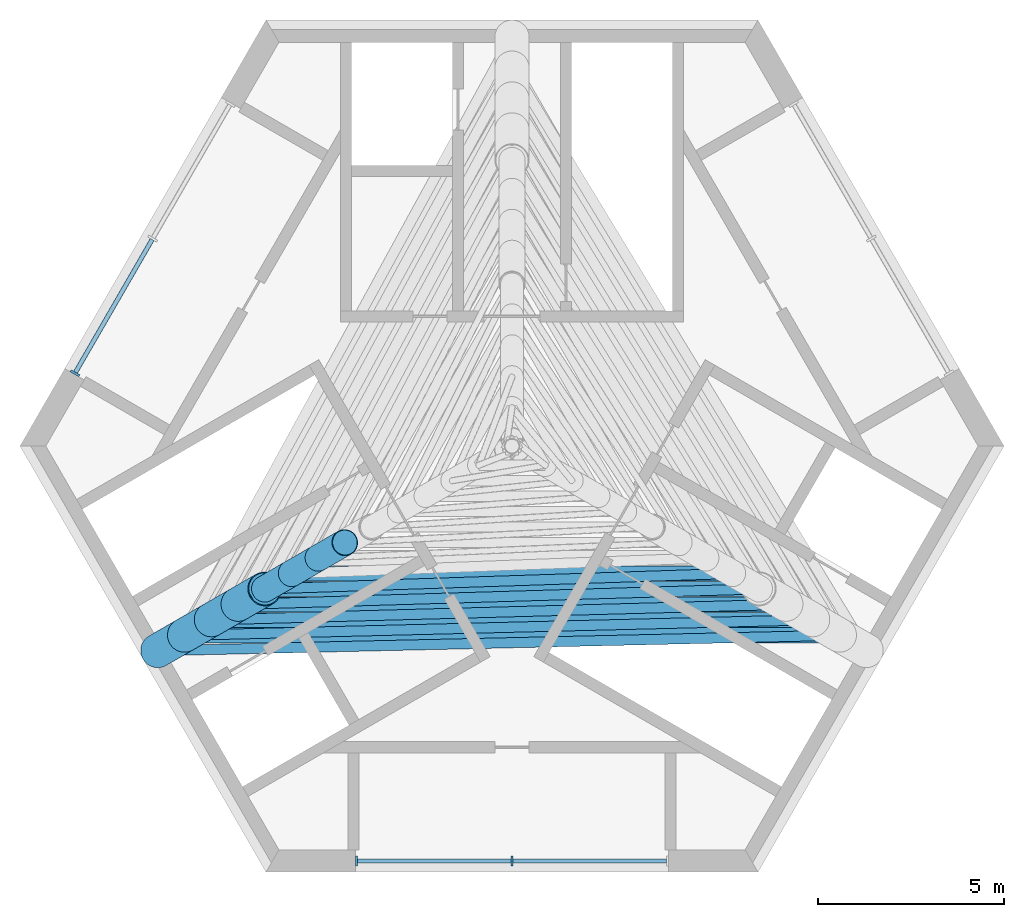
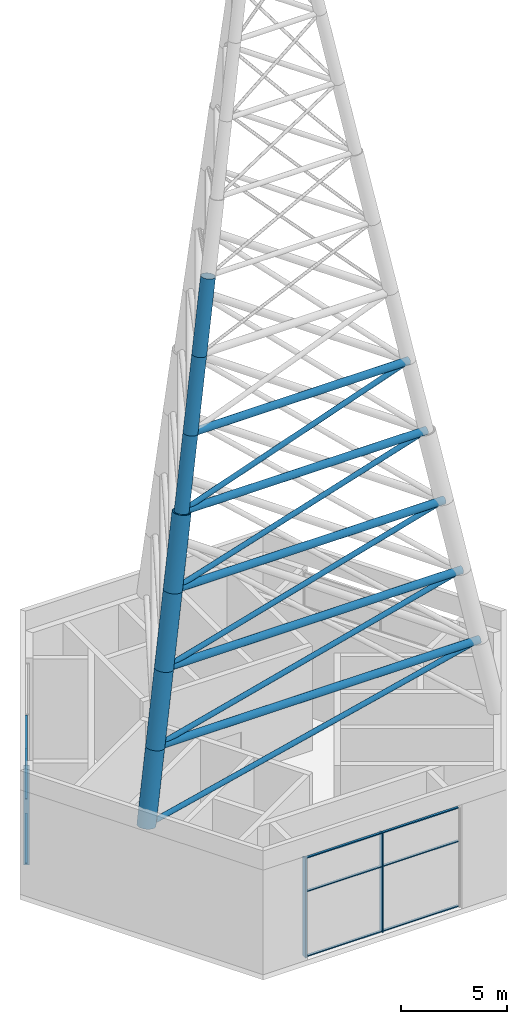
# One storey, part 1 of 10: 29 members, 2 elements without a shape of their own.
"""IFC4 building model written with IfcOpenShell, lengths in metres."""

from ifc_helpers import new_model, si_unit, direction, frame, origin, origin_2d, place, context, subcontext, project, spatial, rectangle, hollow_circle, extrude, material, material_profile, profile_set, type_object, element, aggregate, save


model = new_model("IFC4")

# Units and contexts
model_context = context("Model", 3, precision=1e-05, world=origin(), true_north=direction((0.0, 1.0)))
body_context = subcontext(model_context, "Body", "Model", "MODEL_VIEW")
ifc_project = project(units=[si_unit("LENGTHUNIT", "METRE"), si_unit("AREAUNIT", "SQUARE_METRE"), si_unit("VOLUMEUNIT", "CUBIC_METRE"), si_unit("PLANEANGLEUNIT", "RADIAN"), si_unit("MASSUNIT", "GRAM", prefix="KILO")], contexts=[model_context])

# Site, building, storey
site_placement = place(None, origin())
site = spatial("IfcSite", under=ifc_project, at=site_placement, CompositionType="ELEMENT")
building_placement = place(site_placement, origin())
building = spatial("IfcBuilding", under=site, at=building_placement, Name="Impinga Residences", CompositionType="ELEMENT")
storey_placement = place(building_placement, frame((0.0, 0.0, 301.75)))
storey = spatial("IfcBuildingStorey", under=building, at=storey_placement, Name="L75", CompositionType="ELEMENT", Elevation=301.75)

# Curtain wall, members
ifc_material_1 = material(Name="Aluminium stick curtain wall", Category="aluminium")
curtain_wall_type = type_object("IfcCurtainWallType", Name="CW4 plant floor louvred curtain wall", PredefinedType="USERDEFINED", material=ifc_material_1)
curtain_wall_1_placement = place(storey_placement, origin())
curtain_wall_1 = element("IfcCurtainWall", 1, at=curtain_wall_1_placement, inside=storey, type_object=curtain_wall_type, Name="Curtain wall CW4 L75", ObjectType="STICK CURTAIN WALL", PredefinedType="USERDEFINED")
ifc_material_2 = material(Name="Aluminium mullion", Category="aluminium")
ifc_material_profile_1 = material_profile(ifc_material_2, rectangle(XDim=0.06005859375, YDim=0.27490234375, at=origin_2d()), Name="60x275 mullion")
ifc_profile_set_1 = profile_set([ifc_material_profile_1], Name="Aluminium mullion")
member_type_1 = type_object("IfcMemberType", Name="CW4-M mullion 60x275", PredefinedType="MULLION", material=ifc_profile_set_1)
member_1_placement = place(storey_placement, frame((-4.169921875, -11.131591796875, 0.0), z_axis=(0.0, 0.0, 1.0), x_axis=(1.0, 0.0, 0.0)))
member_1 = element("IfcMember", 2, at=member_1_placement, type_object=member_type_1, Name="CW4 mullion 1", PredefinedType="MULLION", context=body_context, shape_type="SweptSolid", body=[
    extrude(rectangle(XDim=0.06005859375, YDim=0.27490234375, at=origin_2d()), origin(), (0.0, 0.0, 1.0), 5.699951171875),
])
member_2_placement = place(storey_placement, frame((0.0, -11.131591796875, 0.0), z_axis=(0.0, 0.0, 1.0), x_axis=(1.0, 0.0, 0.0)))
member_2 = element("IfcMember", 3, at=member_2_placement, type_object=member_type_1, Name="CW4 mullion 2", PredefinedType="MULLION", context=body_context, shape_type="SweptSolid", body=[
    extrude(rectangle(XDim=0.06005859375, YDim=0.27490234375, at=origin_2d()), origin(), (0.0, 0.0, 1.0), 5.699951171875),
])

# Curtain wall, member
curtain_wall_2_placement = place(storey_placement, origin())
curtain_wall_2 = element("IfcCurtainWall", 4, at=curtain_wall_2_placement, inside=storey, type_object=curtain_wall_type, Name="Curtain wall CW4 L75", ObjectType="STICK CURTAIN WALL", PredefinedType="USERDEFINED")
member_3_placement = place(storey_placement, frame((-11.72509765625, 1.954345703125, 0.0), z_axis=(0.0, 0.0, 1.0), x_axis=(-0.500000020194, -0.866025392126, 0.0)))
member_3 = element("IfcMember", 5, at=member_3_placement, type_object=member_type_1, Name="CW4 mullion 3", PredefinedType="MULLION", context=body_context, shape_type="SweptSolid", body=[
    extrude(rectangle(XDim=0.06005859375, YDim=0.27490234375, at=origin_2d()), origin(), (0.0, 0.0, 1.0), 5.699951171875),
])

# Member
ifc_material_3 = material(Name="Aluminium transom", Category="aluminium")
ifc_material_profile_2 = material_profile(ifc_material_3, rectangle(XDim=0.06005859375, YDim=0.1201171875, at=origin_2d()), Name="60x120 transom")
ifc_profile_set_2 = profile_set([ifc_material_profile_2], Name="Aluminium transom")
member_type_2 = type_object("IfcMemberType", Name="CW4-T transom 60x120", PredefinedType="USERDEFINED", material=ifc_profile_set_2)
member_4_placement = place(storey_placement, frame((-4.139892578125, -11.131591796875, 0.030029296875), z_axis=(1.0, 0.0, 0.0), x_axis=(0.0, 0.0, 1.0)))
member_4 = element("IfcMember", 6, at=member_4_placement, type_object=member_type_2, Name="CW4 transom 1.1", ObjectType="TRANSOM", PredefinedType="USERDEFINED", context=body_context, shape_type="SweptSolid", body=[
    extrude(rectangle(XDim=0.06005859375, YDim=0.1201171875, at=origin_2d()), origin(), (0.0, 0.0, 1.0), 4.10986328125),
])

member_5_placement = place(storey_placement, frame((-4.139892578125, -11.131591796875, 3.75), z_axis=(1.0, 0.0, 0.0), x_axis=(0.0, 0.0, 1.0)))
member_5 = element("IfcMember", 7, at=member_5_placement, type_object=member_type_2, Name="CW4 transom 1.2", ObjectType="TRANSOM", PredefinedType="USERDEFINED", context=body_context, shape_type="SweptSolid", body=[
    extrude(rectangle(XDim=0.06005859375, YDim=0.1201171875, at=origin_2d()), origin(), (0.0, 0.0, 1.0), 4.10986328125),
])

member_6_placement = place(storey_placement, frame((-4.139892578125, -11.131591796875, 5.669921875), z_axis=(1.0, 0.0, 0.0), x_axis=(0.0, 0.0, 1.0)))
member_6 = element("IfcMember", 8, at=member_6_placement, type_object=member_type_2, Name="CW4 transom 1.3", ObjectType="TRANSOM", PredefinedType="USERDEFINED", context=body_context, shape_type="SweptSolid", body=[
    extrude(rectangle(XDim=0.06005859375, YDim=0.1201171875, at=origin_2d()), origin(), (0.0, 0.0, 1.0), 4.10986328125),
])

member_7_placement = place(storey_placement, frame((0.030029296875, -11.131591796875, 0.030029296875), z_axis=(1.0, 0.0, 0.0), x_axis=(0.0, 0.0, 1.0)))
member_7 = element("IfcMember", 9, at=member_7_placement, type_object=member_type_2, Name="CW4 transom 2.1", ObjectType="TRANSOM", PredefinedType="USERDEFINED", context=body_context, shape_type="SweptSolid", body=[
    extrude(rectangle(XDim=0.06005859375, YDim=0.1201171875, at=origin_2d()), origin(), (0.0, 0.0, 1.0), 4.10986328125),
])

member_8_placement = place(storey_placement, frame((0.030029296875, -11.131591796875, 3.75), z_axis=(1.0, 0.0, 0.0), x_axis=(0.0, 0.0, 1.0)))
member_8 = element("IfcMember", 10, at=member_8_placement, type_object=member_type_2, Name="CW4 transom 2.2", ObjectType="TRANSOM", PredefinedType="USERDEFINED", context=body_context, shape_type="SweptSolid", body=[
    extrude(rectangle(XDim=0.06005859375, YDim=0.1201171875, at=origin_2d()), origin(), (0.0, 0.0, 1.0), 4.10986328125),
])

member_9_placement = place(storey_placement, frame((0.030029296875, -11.131591796875, 5.669921875), z_axis=(1.0, 0.0, 0.0), x_axis=(0.0, 0.0, 1.0)))
member_9 = element("IfcMember", 11, at=member_9_placement, type_object=member_type_2, Name="CW4 transom 2.3", ObjectType="TRANSOM", PredefinedType="USERDEFINED", context=body_context, shape_type="SweptSolid", body=[
    extrude(rectangle(XDim=0.06005859375, YDim=0.1201171875, at=origin_2d()), origin(), (0.0, 0.0, 1.0), 4.10986328125),
])

aggregate(curtain_wall_1, [member_1, member_2, member_4, member_5, member_6, member_7, member_8, member_9])

member_10_placement = place(storey_placement, frame((-9.6552734375, 5.539794921875, 0.030029296875), z_axis=(-0.499991554064, -0.866030279993, 0.0), x_axis=(0.0, 0.0, 1.0)))
member_10 = element("IfcMember", 12, at=member_10_placement, type_object=member_type_2, Name="CW4 transom 2.1", ObjectType="TRANSOM", PredefinedType="USERDEFINED", context=body_context, shape_type="SweptSolid", body=[
    extrude(rectangle(XDim=0.06005859375, YDim=0.1201171875, at=origin_2d()), origin(), (0.0, 0.0, 1.0), 4.10986328125),
])

member_11_placement = place(storey_placement, frame((-9.6552734375, 5.539794921875, 3.75), z_axis=(-0.499991554064, -0.866030279993, 0.0), x_axis=(0.0, 0.0, 1.0)))
member_11 = element("IfcMember", 13, at=member_11_placement, type_object=member_type_2, Name="CW4 transom 2.2", ObjectType="TRANSOM", PredefinedType="USERDEFINED", context=body_context, shape_type="SweptSolid", body=[
    extrude(rectangle(XDim=0.06005859375, YDim=0.1201171875, at=origin_2d()), origin(), (0.0, 0.0, 1.0), 4.10986328125),
])

member_12_placement = place(storey_placement, frame((-9.6552734375, 5.539794921875, 5.669921875), z_axis=(-0.499991554064, -0.866030279993, 0.0), x_axis=(0.0, 0.0, 1.0)))
member_12 = element("IfcMember", 14, at=member_12_placement, type_object=member_type_2, Name="CW4 transom 2.3", ObjectType="TRANSOM", PredefinedType="USERDEFINED", context=body_context, shape_type="SweptSolid", body=[
    extrude(rectangle(XDim=0.06005859375, YDim=0.1201171875, at=origin_2d()), origin(), (0.0, 0.0, 1.0), 4.10986328125),
])

aggregate(curtain_wall_2, [member_3, member_10, member_11, member_12])

# Members
ifc_material_4 = material(Name="Steel S355J2H", Category="steel")
ifc_material_profile_3 = material_profile(ifc_material_4, hollow_circle(Radius=0.457275390625, WallThickness=0.02490234375, at=origin_2d()), Name="CHS 914.4x25")
ifc_profile_set_3 = profile_set([ifc_material_profile_3], Name="Steel S355J2H")
member_type_3 = type_object("IfcMemberType", Name="SP1 SPIRE CHS 914.4x25", PredefinedType="MEMBER", material=ifc_profile_set_3)
member_13_placement = place(storey_placement, frame((-9.51025390625, -5.49072265625, 6.0), z_axis=(0.17582628445, 0.101479616246, 0.979176697631), x_axis=(-0.499875358948, 0.866097353371, 0.0)))
element("IfcMember", 15, at=member_13_placement, inside=storey, type_object=member_type_3, Name="SPIRE leg W panel 1", PredefinedType="MEMBER", context=body_context, shape_type="SweptSolid", body=[
    extrude(hollow_circle(Radius=0.457275390625, WallThickness=0.02490234375, at=origin_2d()), origin(), (0.0, 0.0, 1.0), 4.0849609375),
])
member_14_placement = place(storey_placement, frame((-8.7919921875, -5.076171875, 10.0), z_axis=(0.175825217786, 0.101538764452, 0.979170757378), x_axis=(-0.500096139896, 0.865969890274, 0.0)))
element("IfcMember", 16, at=member_14_placement, inside=storey, type_object=member_type_3, Name="SPIRE leg W panel 2", PredefinedType="MEMBER", context=body_context, shape_type="SweptSolid", body=[
    extrude(hollow_circle(Radius=0.457275390625, WallThickness=0.02490234375, at=origin_2d()), origin(), (0.0, 0.0, 1.0), 4.085205078125),
])
for number, where, z_axis, x_axis, name in (
    (17, (-8.07373046875, -4.661376953125, 14.0), (0.17582628445, 0.101479616246, 0.979176697631), (-0.499875358948, 0.866097353371, 0.0), "SPIRE leg W panel 3"),
    (18, (-7.35546875, -4.246826171875, 18.0), (0.175767300603, 0.101539831256, 0.979181044908), (-0.500223639449, 0.865896246981, 0.0), "SPIRE leg W panel 4"),
):
    element("IfcMember", number, at=place(storey_placement, frame(where, z_axis=z_axis, x_axis=x_axis)), inside=storey, type_object=member_type_3, Name=name, PredefinedType="MEMBER", context=body_context, shape_type="SweptSolid", body=[
        extrude(hollow_circle(Radius=0.457275390625, WallThickness=0.02490234375, at=origin_2d()), origin(), (0.0, 0.0, 1.0), 4.0849609375),
    ])
ifc_material_profile_4 = material_profile(ifc_material_4, hollow_circle(Radius=0.35546875, WallThickness=0.02001953125, at=origin_2d()), Name="CHS 711x20")
ifc_profile_set_4 = profile_set([ifc_material_profile_4], Name="Steel S355J2H")
member_type_4 = type_object("IfcMemberType", Name="SP2 SPIRE CHS 711x20", PredefinedType="MEMBER", material=ifc_profile_set_4)
member_15_placement = place(storey_placement, frame((-6.637451171875, -3.83203125, 22.0), z_axis=(0.17582628445, 0.101479616246, 0.979176697631), x_axis=(-0.499875358948, 0.866097353371, 0.0)))
element("IfcMember", 19, at=member_15_placement, inside=storey, type_object=member_type_4, Name="SPIRE leg W panel 5", PredefinedType="MEMBER", context=body_context, shape_type="SweptSolid", body=[
    extrude(hollow_circle(Radius=0.35546875, WallThickness=0.02001953125, at=origin_2d()), origin(), (0.0, 0.0, 1.0), 4.0849609375),
])
member_16_placement = place(storey_placement, frame((-5.919189453125, -3.41748046875, 26.0), z_axis=(0.175825217786, 0.101538764452, 0.979170757378), x_axis=(-0.500096139896, 0.865969890274, 0.0)))
element("IfcMember", 20, at=member_16_placement, inside=storey, type_object=member_type_4, Name="SPIRE leg W panel 6", PredefinedType="MEMBER", context=body_context, shape_type="SweptSolid", body=[
    extrude(hollow_circle(Radius=0.35546875, WallThickness=0.02001953125, at=origin_2d()), origin(), (0.0, 0.0, 1.0), 4.085205078125),
])
member_17_placement = place(storey_placement, frame((-5.200927734375, -3.002685546875, 30.0), z_axis=(0.17582628445, 0.101479616246, 0.979176697631), x_axis=(-0.499875358948, 0.866097353371, 0.0)))
element("IfcMember", 21, at=member_17_placement, inside=storey, type_object=member_type_4, Name="SPIRE leg W panel 7", PredefinedType="MEMBER", context=body_context, shape_type="SweptSolid", body=[
    extrude(hollow_circle(Radius=0.35546875, WallThickness=0.02001953125, at=origin_2d()), origin(), (0.0, 0.0, 1.0), 4.0849609375),
])
ifc_material_profile_5 = material_profile(ifc_material_4, hollow_circle(Radius=0.203125, WallThickness=0.012451171875, at=origin_2d()), Name="CHS 406.4x12.5")
ifc_profile_set_5 = profile_set([ifc_material_profile_5], Name="Steel S355J2H")
member_type_5 = type_object("IfcMemberType", Name="SP4 SPIRE CHS 406.4x12.5", PredefinedType="MEMBER", material=ifc_profile_set_5)
member_18_placement = place(storey_placement, frame((-8.7919921875, -5.076171875, 10.0), z_axis=(1.0, 0.0, 0.0), x_axis=(0.0, 1.0, 0.0)))
element("IfcMember", 22, at=member_18_placement, inside=storey, type_object=member_type_5, Name="SPIRE ring W-E panel 1", PredefinedType="MEMBER", context=body_context, shape_type="SweptSolid", body=[
    extrude(hollow_circle(Radius=0.203125, WallThickness=0.012451171875, at=origin_2d()), origin(), (0.0, 0.0, 1.0), 17.583984375),
])
member_19_placement = place(storey_placement, frame((-8.07373046875, -4.661376953125, 14.0), z_axis=(1.0, 0.0, 0.0), x_axis=(0.0, 1.0, 0.0)))
element("IfcMember", 23, at=member_19_placement, inside=storey, type_object=member_type_5, Name="SPIRE ring W-E panel 2", PredefinedType="MEMBER", context=body_context, shape_type="SweptSolid", body=[
    extrude(hollow_circle(Radius=0.203125, WallThickness=0.012451171875, at=origin_2d()), origin(), (0.0, 0.0, 1.0), 16.1474609375),
])
member_20_placement = place(storey_placement, frame((-7.35546875, -4.246826171875, 18.0), z_axis=(1.0, 0.0, 0.0), x_axis=(0.0, 1.0, 0.0)))
element("IfcMember", 24, at=member_20_placement, inside=storey, type_object=member_type_5, Name="SPIRE ring W-E panel 3", PredefinedType="MEMBER", context=body_context, shape_type="SweptSolid", body=[
    extrude(hollow_circle(Radius=0.203125, WallThickness=0.012451171875, at=origin_2d()), origin(), (0.0, 0.0, 1.0), 14.7109375),
])
member_21_placement = place(storey_placement, frame((-6.637451171875, -3.83203125, 22.0), z_axis=(1.0, 0.0, 0.0), x_axis=(0.0, 1.0, 0.0)))
element("IfcMember", 25, at=member_21_placement, inside=storey, type_object=member_type_5, Name="SPIRE ring W-E panel 4", PredefinedType="MEMBER", context=body_context, shape_type="SweptSolid", body=[
    extrude(hollow_circle(Radius=0.203125, WallThickness=0.012451171875, at=origin_2d()), origin(), (0.0, 0.0, 1.0), 13.27490234375),
])
member_22_placement = place(storey_placement, frame((-5.919189453125, -3.41748046875, 26.0), z_axis=(1.0, 0.0, 0.0), x_axis=(0.0, 1.0, 0.0)))
element("IfcMember", 26, at=member_22_placement, inside=storey, type_object=member_type_5, Name="SPIRE ring W-E panel 5", PredefinedType="MEMBER", context=body_context, shape_type="SweptSolid", body=[
    extrude(hollow_circle(Radius=0.203125, WallThickness=0.012451171875, at=origin_2d()), origin(), (0.0, 0.0, 1.0), 11.83837890625),
])
ifc_material_profile_6 = material_profile(ifc_material_4, hollow_circle(Radius=0.136474609375, WallThickness=0.010009765625, at=origin_2d()), Name="CHS 273x10")
ifc_profile_set_6 = profile_set([ifc_material_profile_6], Name="Steel S355J2H")
member_type_6 = type_object("IfcMemberType", Name="SP5 SPIRE CHS 273x10", PredefinedType="BRACE", material=ifc_profile_set_6)
member_23_placement = place(storey_placement, frame((-9.51025390625, -5.49072265625, 6.0), z_axis=(0.976701207786, 0.022122544231, 0.213460403228), x_axis=(-0.02264446017, 0.999743581337, 0.0)))
element("IfcMember", 27, at=member_23_placement, inside=storey, type_object=member_type_6, Name="SPIRE diagonal W-E panel 1", PredefinedType="BRACE", context=body_context, shape_type="SweptSolid", body=[
    extrude(hollow_circle(Radius=0.136474609375, WallThickness=0.010009765625, at=origin_2d()), origin(), (0.0, 0.0, 1.0), 18.73876953125),
])
member_24_placement = place(storey_placement, frame((-8.7919921875, -5.076171875, 10.0), z_axis=(0.97273077539, 0.023923302559, 0.230700052459), x_axis=(-0.024586526185, 0.999697705674, 0.0)))
element("IfcMember", 28, at=member_24_placement, inside=storey, type_object=member_type_6, Name="SPIRE diagonal W-E panel 2", PredefinedType="BRACE", context=body_context, shape_type="SweptSolid", body=[
    extrude(hollow_circle(Radius=0.136474609375, WallThickness=0.010009765625, at=origin_2d()), origin(), (0.0, 0.0, 1.0), 17.338623046875),
])
member_25_placement = place(storey_placement, frame((-8.07373046875, -4.661376953125, 14.0), z_axis=(0.967672155855, 0.025999356319, 0.250867758498), x_axis=(-0.02685824631, 0.999639252233, 0.0)))
element("IfcMember", 29, at=member_25_placement, inside=storey, type_object=member_type_6, Name="SPIRE diagonal W-E panel 3", PredefinedType="BRACE", context=body_context, shape_type="SweptSolid", body=[
    extrude(hollow_circle(Radius=0.136474609375, WallThickness=0.010009765625, at=origin_2d()), origin(), (0.0, 0.0, 1.0), 15.944580078125),
])
member_26_placement = place(storey_placement, frame((-7.35546875, -4.246826171875, 18.0), z_axis=(0.961096933965, 0.028489988499, 0.274738064487), x_axis=(-0.029630184412, 0.999560929695, 0.0)))
element("IfcMember", 30, at=member_26_placement, inside=storey, type_object=member_type_6, Name="SPIRE diagonal W-E panel 4", PredefinedType="BRACE", context=body_context, shape_type="SweptSolid", body=[
    extrude(hollow_circle(Radius=0.136474609375, WallThickness=0.010009765625, at=origin_2d()), origin(), (0.0, 0.0, 1.0), 14.559326171875),
])
member_27_placement = place(storey_placement, frame((-6.637451171875, -3.83203125, 22.0), z_axis=(0.952351486282, 0.03144137548, 0.303377794977), x_axis=(-0.032996488257, 0.999455467624, 0.0)))
element("IfcMember", 31, at=member_27_placement, inside=storey, type_object=member_type_6, Name="SPIRE diagonal W-E panel 5", PredefinedType="BRACE", context=body_context, shape_type="SweptSolid", body=[
    extrude(hollow_circle(Radius=0.136474609375, WallThickness=0.010009765625, at=origin_2d()), origin(), (0.0, 0.0, 1.0), 13.184814453125),
])

save(model, "model.ifc")
